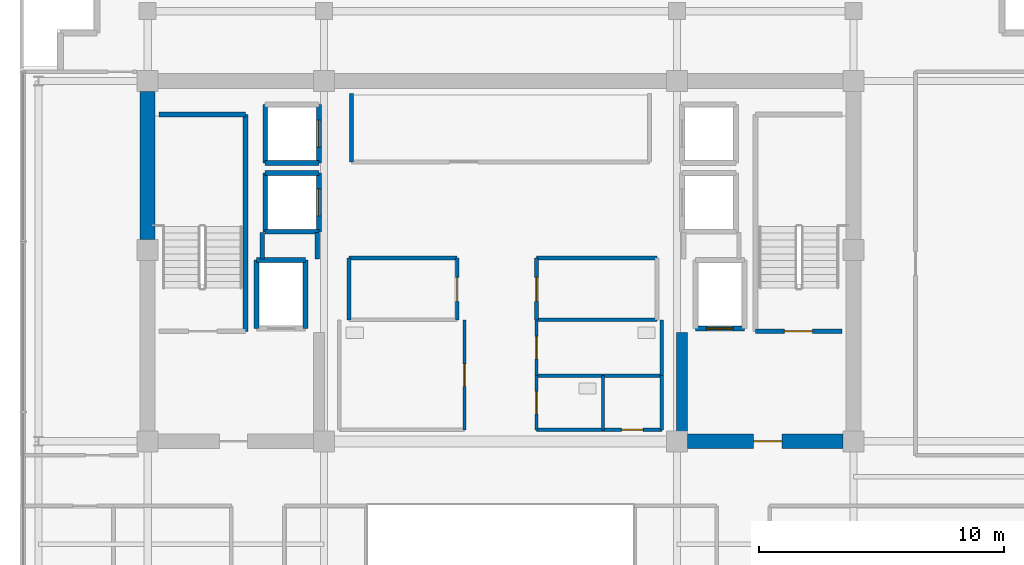
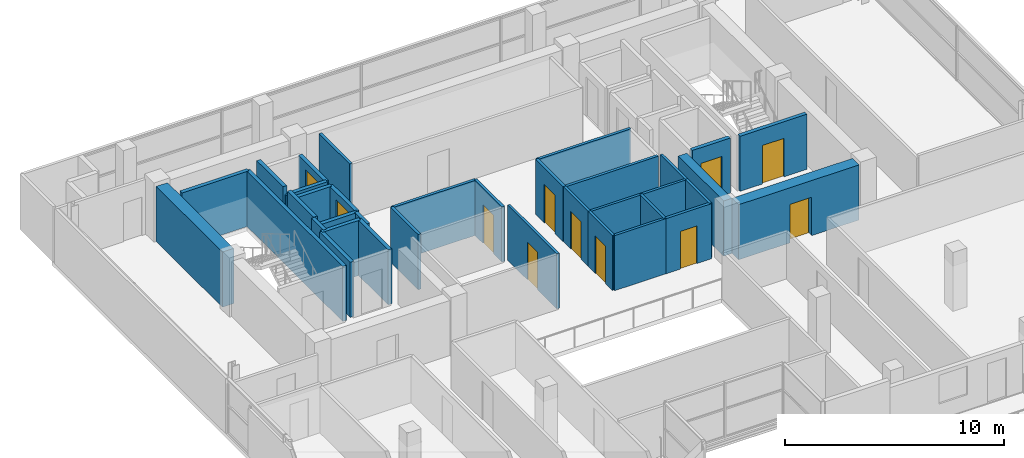
# One storey, part 16 of 22: 35 walls, 11 doors, 11 openings.
"""IFC4 building model written with IfcOpenShell, lengths in metres."""

from ifc_helpers import new_model, si_unit, direction, frame, frame_2d, origin, place, context, subcontext, project, spatial, rectangle, extrude, source, transform, mapped, material, layer, layer_set, type_object, element, fill, save


model = new_model("IFC4")

# Units and contexts
model_context = context("Model", 3, precision=1e-05, world=origin(), true_north=direction((0.0, 1.0)))
body_context = subcontext(model_context, "Body", "Model", "MODEL_VIEW")
ifc_project = project(units=[si_unit("LENGTHUNIT", "METRE"), si_unit("AREAUNIT", "SQUARE_METRE"), si_unit("VOLUMEUNIT", "CUBIC_METRE"), si_unit("PLANEANGLEUNIT", "RADIAN"), si_unit("MASSUNIT", "GRAM", prefix="KILO")], contexts=[model_context])

# Site, building, storey
site_placement = place(None, origin())
site = spatial("IfcSite", under=ifc_project, at=site_placement, CompositionType="ELEMENT")
building_placement = place(site_placement, origin())
building = spatial("IfcBuilding", under=site, at=building_placement, Name="Zarnakvel Exchange Tower", CompositionType="ELEMENT")
storey_placement = place(building_placement, frame((0.0, 0.0, 238.60009765625)))
storey = spatial("IfcBuildingStorey", under=building, at=storey_placement, Name="L67", CompositionType="ELEMENT", Elevation=238.60009765625)

# Wall
ifc_material_1 = material(Name="Concrete C50/60", Category="concrete")
ifc_layer_1 = layer(ifc_material_1, 0.60009765625)
ifc_layer_set_1 = layer_set([ifc_layer_1], Name="Concrete C50/60")
wall_type_1 = type_object("IfcWallType", Name="CW-C5", PredefinedType="SHEAR", material=ifc_layer_set_1)
wall_1_placement = place(storey_placement, frame((-14.39990234375, 7.02490234375, 0.0), z_axis=(0.0, 0.0, 1.0), x_axis=(0.0, 1.0, 0.0)))
element("IfcWall", 1, at=wall_1_placement, inside=storey, type_object=wall_type_1, Name="L67 Rear Core Shear Wall W2 (CW-C5)", PredefinedType="SHEAR", context=body_context, shape_type="SweptSolid", body=[
    extrude(rectangle(XDim=6.050048828125, YDim=0.60009765625, at=frame_2d((3.02490234375, 0.0))), origin(), (0.0, 0.0, 1.0), 3.074951171875),
])

# Wall, opening, door
wall_2_placement = place(storey_placement, frame((13.97509765625, -1.199951171875, 0.0), z_axis=(0.0, 0.0, 1.0), x_axis=(-1.0, 0.0, 0.0)))
wall_2 = element("IfcWall", 2, at=wall_2_placement, inside=storey, type_object=wall_type_1, Name="L67 Rear Core Shear Wall SE (CW-C5)", PredefinedType="SHEAR", context=body_context, shape_type="SweptSolid", body=[
    extrude(rectangle(XDim=6.35009765625, YDim=0.60009765625, at=frame_2d((3.175048828125, 0.0))), origin(), (0.0, 0.0, 1.0), 3.074951171875),
])
opening_1_placement = place(wall_2_placement, frame((2.5, 0.0, 0.0)))
opening_1 = element("IfcOpeningElement", 3, at=opening_1_placement, cuts=wall_2, Name="Opening D-L67-04", PredefinedType="OPENING", context=body_context, shape_type="SweptSolid", body=[
    extrude(rectangle(XDim=1.14990234375, YDim=2.14990234375, at=frame_2d((0.574951171875, 1.074951171875))), frame((0.0, 0.31005859375, 0.0), z_axis=(0.0, -1.0, 0.0), x_axis=(1.0, 0.0, 0.0)), (0.0, 0.0, 1.0), 0.6201171875),
])
ifc_material_2 = material(Name="Painted Galvanised Steel S355", Category="steel")
door_type_1 = type_object("IfcDoorType", Name="DT-04", OperationType="NOTDEFINED", PredefinedType="DOOR", material=ifc_material_2)
shared_shape_1 = source(origin(), body_context, "Body", "SweptSolid", [
    extrude(rectangle(XDim=1.14990234375, YDim=2.14990234375, at=frame_2d((0.574951171875, 1.074951171875))), frame((0.0, 0.02490234375, 0.0), z_axis=(0.0, -1.0, 0.0), x_axis=(1.0, 0.0, 0.0)), (0.0, 0.0, 1.0), 0.050048828125),
])
door_1_placement = place(opening_1_placement, origin())
door_1 = element("IfcDoor", 4, at=door_1_placement, inside=storey, type_object=door_type_1, Name="L67 Firefighting Lobby East Door D-L67-04", OperationType="SINGLE_SWING_RIGHT", OverallHeight=2.14990234375, OverallWidth=1.14990234375, PredefinedType="DOOR", context=body_context, shape_type="MappedRepresentation", body=[
    mapped(shared_shape_1, transform((0.0, 0.0, 0.0), x_axis=(1.0, 0.0, 0.0), y_axis=(0.0, 1.0, 0.0), z_axis=(0.0, 0.0, 1.0), scale=1.0)),
])
fill(opening_1, door_1)

# Walls
ifc_layer_2 = layer(ifc_material_1, 0.449951171875)
ifc_layer_set_2 = layer_set([ifc_layer_2], Name="Concrete C50/60")
wall_type_2 = type_object("IfcWallType", Name="CW-C6", PredefinedType="SHEAR", material=ifc_layer_set_2)
wall_3_placement = place(storey_placement, frame((7.39990234375, -0.89990234375, 0.0), z_axis=(0.0, 0.0, 1.0), x_axis=(0.0, 1.0, 0.0)))
element("IfcWall", 5, at=wall_3_placement, inside=storey, type_object=wall_type_2, Name="L67 Rear Core Shear Wall IE (CW-C6)", PredefinedType="SHEAR", context=body_context, shape_type="SweptSolid", body=[
    extrude(rectangle(XDim=4.14990234375, YDim=0.449951171875, at=frame_2d((2.074951171875, 0.0))), origin(), (0.0, 0.0, 1.0), 3.074951171875),
])
ifc_material_3 = material(Name="Fire-Rated Gypsum Stud Partition", Category="gypsum")
ifc_layer_3 = layer(ifc_material_3, 0.14990234375)
ifc_layer_set_3 = layer_set([ifc_layer_3], Name="Fire-Rated Gypsum Stud Partition")
wall_type_3 = type_object("IfcWallType", Name="PT-01", PredefinedType="PARTITIONING", material=ifc_layer_set_3)
wall_4_placement = place(storey_placement, frame((-6.080078125, 10.199951171875, 0.0), z_axis=(0.0, 0.0, 1.0), x_axis=(0.0, 1.0, 0.0)))
element("IfcWall", 6, at=wall_4_placement, inside=storey, type_object=wall_type_3, Name="L67 Partition Wall PWALL-L67-012 (PT-01)", PredefinedType="PARTITIONING", context=body_context, shape_type="SweptSolid", body=[
    extrude(rectangle(XDim=2.800048828125, YDim=0.14990234375, at=frame_2d((1.39990234375, 0.0))), origin(), (0.0, 0.0, 1.0), 3.074951171875),
])
wall_5_placement = place(storey_placement, frame((-6.179931640625, 6.280029296875, 0.0), z_axis=(0.0, 0.0, 1.0), x_axis=(1.0, 0.0, 0.0)))
element("IfcWall", 7, at=wall_5_placement, inside=storey, type_object=wall_type_3, Name="L67 Partition Wall PWALL-L67-015 (PT-01)", PredefinedType="PARTITIONING", context=body_context, shape_type="SweptSolid", body=[
    extrude(rectangle(XDim=4.409912109375, YDim=0.14990234375, at=frame_2d((2.205078125, 0.0))), origin(), (0.0, 0.0, 1.0), 3.074951171875),
])
wall_6_placement = place(storey_placement, frame((-6.179931640625, 3.760009765625, 0.0), z_axis=(0.0, 0.0, 1.0), x_axis=(0.0, 1.0, 0.0)))
element("IfcWall", 8, at=wall_6_placement, inside=storey, type_object=wall_type_3, Name="L67 Partition Wall PWALL-L67-016 (PT-01)", PredefinedType="PARTITIONING", context=body_context, shape_type="SweptSolid", body=[
    extrude(rectangle(XDim=2.52001953125, YDim=0.14990234375, at=frame_2d((1.260009765625, 0.0))), origin(), (0.0, 0.0, 1.0), 3.074951171875),
])

# Wall, opening, door
wall_7_placement = place(storey_placement, frame((-1.77001953125, 6.280029296875, 0.0), z_axis=(0.0, 0.0, 1.0), x_axis=(0.0, -1.0, 0.0)))
wall_7 = element("IfcWall", 9, at=wall_7_placement, inside=storey, type_object=wall_type_3, Name="L67 Partition Wall PWALL-L67-017 (PT-01)", PredefinedType="PARTITIONING", context=body_context, shape_type="SweptSolid", body=[
    extrude(rectangle(XDim=2.52001953125, YDim=0.14990234375, at=frame_2d((1.260009765625, 0.0))), origin(), (0.0, 0.0, 1.0), 3.074951171875),
])
opening_2_placement = place(wall_7_placement, frame((0.7900390625, 0.0, 0.0)))
opening_2 = element("IfcOpeningElement", 10, at=opening_2_placement, cuts=wall_7, Name="Opening D-L67-06", PredefinedType="OPENING", context=body_context, shape_type="SweptSolid", body=[
    extrude(rectangle(XDim=0.97998046875, YDim=2.14990234375, at=frame_2d((0.489990234375, 1.074951171875))), frame((0.0, 0.0849609375, 0.0), z_axis=(0.0, -1.0, 0.0), x_axis=(1.0, 0.0, 0.0)), (0.0, 0.0, 1.0), 0.169921875),
])
ifc_material_4 = material(Name="Timber Acoustic Veneer", Category="wood")
door_type_2 = type_object("IfcDoorType", Name="DT-05", OperationType="NOTDEFINED", PredefinedType="DOOR", material=ifc_material_4)
shared_shape_2 = source(origin(), body_context, "Body", "SweptSolid", [
    extrude(rectangle(XDim=0.97998046875, YDim=2.14990234375, at=frame_2d((0.489990234375, 1.074951171875))), frame((0.0, 0.02490234375, 0.0), z_axis=(0.0, -1.0, 0.0), x_axis=(1.0, 0.0, 0.0)), (0.0, 0.0, 1.0), 0.050048828125),
])
door_2_placement = place(opening_2_placement, origin())
door_2 = element("IfcDoor", 11, at=door_2_placement, inside=storey, type_object=door_type_2, Name="L67 Sovereign Compliance Office Door D-L67-06", OperationType="SINGLE_SWING_RIGHT", OverallHeight=2.14990234375, OverallWidth=0.97998046875, PredefinedType="DOOR", context=body_context, shape_type="MappedRepresentation", body=[
    mapped(shared_shape_2, transform((0.0, 0.0, 0.0), x_axis=(1.0, 0.0, 0.0), y_axis=(0.0, 1.0, 0.0), z_axis=(0.0, 0.0, 1.0), scale=1.0)),
])
fill(opening_2, door_2)

# Walls
for number, where, z_axis, x_axis, name in (
    (12, (6.3798828125, 3.760009765625, 0.0), (0.0, 0.0, 1.0), (-1.0, 0.0, 0.0), "L67 Partition Wall PWALL-L67-018 (PT-01)"),
    (13, (1.469970703125, 6.280029296875, 0.0), (0.0, 0.0, 1.0), (1.0, 0.0, 0.0), "L67 Partition Wall PWALL-L67-019 (PT-01)"),
):
    element("IfcWall", number, at=place(storey_placement, frame(where, z_axis=z_axis, x_axis=x_axis)), inside=storey, type_object=wall_type_3, Name=name, PredefinedType="PARTITIONING", context=body_context, shape_type="SweptSolid", body=[
        extrude(rectangle(XDim=4.909912109375, YDim=0.14990234375, at=frame_2d((2.455078125, 0.0))), origin(), (0.0, 0.0, 1.0), 3.074951171875),
    ])

# Wall, opening, door
wall_8_placement = place(storey_placement, frame((1.469970703125, 3.760009765625, 0.0), z_axis=(0.0, 0.0, 1.0), x_axis=(0.0, 1.0, 0.0)))
wall_8 = element("IfcWall", 14, at=wall_8_placement, inside=storey, type_object=wall_type_3, Name="L67 Partition Wall PWALL-L67-020 (PT-01)", PredefinedType="PARTITIONING", context=body_context, shape_type="SweptSolid", body=[
    extrude(rectangle(XDim=2.52001953125, YDim=0.14990234375, at=frame_2d((1.260009765625, 0.0))), origin(), (0.0, 0.0, 1.0), 3.074951171875),
])
opening_3_placement = place(wall_8_placement, frame((0.75, 0.0, 0.0)))
opening_3 = element("IfcOpeningElement", 15, at=opening_3_placement, cuts=wall_8, Name="Opening D-L67-07", PredefinedType="OPENING", context=body_context, shape_type="SweptSolid", body=[
    extrude(rectangle(XDim=0.97998046875, YDim=2.14990234375, at=frame_2d((0.489990234375, 1.074951171875))), frame((0.0, 0.0849609375, 0.0), z_axis=(0.0, -1.0, 0.0), x_axis=(1.0, 0.0, 0.0)), (0.0, 0.0, 1.0), 0.169921875),
])
door_3_placement = place(opening_3_placement, origin())
door_3 = element("IfcDoor", 16, at=door_3_placement, inside=storey, type_object=door_type_2, Name="L67 Depository Legal Office Door D-L67-07", OperationType="SINGLE_SWING_LEFT", OverallHeight=2.14990234375, OverallWidth=0.97998046875, PredefinedType="DOOR", context=body_context, shape_type="MappedRepresentation", body=[
    mapped(shared_shape_2, transform((0.0, 0.0, 0.0), x_axis=(1.0, 0.0, 0.0), y_axis=(0.0, 1.0, 0.0), z_axis=(0.0, 0.0, 1.0), scale=1.0)),
])
fill(opening_3, door_3)

wall_9_placement = place(storey_placement, frame((6.580078125, -0.72998046875, 0.0), z_axis=(0.0, 0.0, 1.0), x_axis=(-1.0, 0.0, 0.0)))
wall_9 = element("IfcWall", 17, at=wall_9_placement, inside=storey, type_object=wall_type_3, Name="L67 Partition Wall PWALL-L67-031 (PT-01)", PredefinedType="PARTITIONING", context=body_context, shape_type="SweptSolid", body=[
    extrude(rectangle(XDim=2.400146484375, YDim=0.14990234375, at=frame_2d((1.2001953125, 0.0))), origin(), (0.0, 0.0, 1.0), 3.074951171875),
])
opening_4_placement = place(wall_9_placement, frame((0.760009765625, 0.0, 0.0)))
opening_4 = element("IfcOpeningElement", 18, at=opening_4_placement, cuts=wall_9, Name="Opening D-L67-11", PredefinedType="OPENING", context=body_context, shape_type="SweptSolid", body=[
    extrude(rectangle(XDim=0.8798828125, YDim=2.10009765625, at=frame_2d((0.43994140625, 1.050048828125))), frame((0.0, 0.0849609375, 0.0), z_axis=(0.0, -1.0, 0.0), x_axis=(1.0, 0.0, 0.0)), (0.0, 0.0, 1.0), 0.169921875),
])
door_type_3 = type_object("IfcDoorType", Name="DT-08", OperationType="NOTDEFINED", PredefinedType="DOOR", material=ifc_material_2)
shared_shape_3 = source(origin(), body_context, "Body", "SweptSolid", [
    extrude(rectangle(XDim=0.8798828125, YDim=2.10009765625, at=frame_2d((0.43994140625, 1.050048828125))), frame((0.0, 0.02490234375, 0.0), z_axis=(0.0, -1.0, 0.0), x_axis=(1.0, 0.0, 0.0)), (0.0, 0.0, 1.0), 0.050048828125),
])
door_4_placement = place(opening_4_placement, origin())
door_4 = element("IfcDoor", 19, at=door_4_placement, inside=storey, type_object=door_type_3, Name="L67 Cleaners Store Door D-L67-11", OperationType="SINGLE_SWING_LEFT", OverallHeight=2.10009765625, OverallWidth=0.8798828125, PredefinedType="DOOR", context=body_context, shape_type="MappedRepresentation", body=[
    mapped(shared_shape_3, transform((0.0, 0.0, 0.0), x_axis=(1.0, 0.0, 0.0), y_axis=(0.0, 1.0, 0.0), z_axis=(0.0, 0.0, 1.0), scale=1.0)),
])
fill(opening_4, door_4)

# Walls
wall_10_placement = place(storey_placement, frame((6.580078125, 1.47998046875, 0.0), z_axis=(0.0, 0.0, 1.0), x_axis=(0.0, -1.0, 0.0)))
element("IfcWall", 20, at=wall_10_placement, inside=storey, type_object=wall_type_3, Name="L67 Partition Wall PWALL-L67-032 (PT-01)", PredefinedType="PARTITIONING", context=body_context, shape_type="SweptSolid", body=[
    extrude(rectangle(XDim=2.2099609375, YDim=0.14990234375, at=frame_2d((1.10498046875, 0.0))), origin(), (0.0, 0.0, 1.0), 3.074951171875),
])
ifc_layer_4 = layer(ifc_material_3, 0.179931640625)
ifc_layer_set_4 = layer_set([ifc_layer_4], Name="Fire-Rated Gypsum Stud Partition")
wall_type_4 = type_object("IfcWallType", Name="PT-02", PredefinedType="PARTITIONING", material=ifc_layer_set_4)
wall_11_placement = place(storey_placement, frame((-9.72998046875, 6.239990234375, 0.0), z_axis=(0.0, 0.0, 1.0), x_axis=(0.0, 1.0, 0.0)))
element("IfcWall", 21, at=wall_11_placement, inside=storey, type_object=wall_type_4, Name="L67 Partition Wall PWALL-L67-007 (PT-02)", PredefinedType="PARTITIONING", context=body_context, shape_type="SweptSolid", body=[
    extrude(rectangle(XDim=1.090087890625, YDim=0.179931640625, at=frame_2d((0.544921875, 0.0))), origin(), (0.0, 0.0, 1.0), 3.074951171875),
])
wall_12_placement = place(storey_placement, frame((-7.469970703125, 7.330078125, 0.0), z_axis=(0.0, 0.0, 1.0), x_axis=(0.0, -1.0, 0.0)))
element("IfcWall", 22, at=wall_12_placement, inside=storey, type_object=wall_type_4, Name="L67 Partition Wall PWALL-L67-008 (PT-02)", PredefinedType="PARTITIONING", context=body_context, shape_type="SweptSolid", body=[
    extrude(rectangle(XDim=1.090087890625, YDim=0.179931640625, at=frame_2d((0.544921875, 0.0))), origin(), (0.0, 0.0, 1.0), 2.614990234375),
])

# Wall, opening, door
ifc_material_5 = material(Name="Moisture-Resistant Tile-Faced Partition", Category="gypsum")
ifc_layer_5 = layer(ifc_material_5, 0.135009765625)
ifc_layer_set_5 = layer_set([ifc_layer_5], Name="Moisture-Resistant Tile-Faced Partition")
wall_type_5 = type_object("IfcWallType", Name="PT-03", PredefinedType="PARTITIONING", material=ifc_layer_set_5)
wall_13_placement = place(storey_placement, frame((-1.469970703125, 3.760009765625, 0.0), z_axis=(0.0, 0.0, 1.0), x_axis=(0.0, -1.0, 0.0)))
wall_13 = element("IfcWall", 23, at=wall_13_placement, inside=storey, type_object=wall_type_5, Name="L67 Partition Wall PWALL-L67-024 (PT-03)", PredefinedType="PARTITIONING", context=body_context, shape_type="SweptSolid", body=[
    extrude(rectangle(XDim=4.489990234375, YDim=0.135009765625, at=frame_2d((2.2451171875, 0.0))), origin(), (0.0, 0.0, 1.0), 3.074951171875),
])
opening_5_placement = place(wall_13_placement, frame((1.800048828125, 0.0, 0.0)))
opening_5 = element("IfcOpeningElement", 24, at=opening_5_placement, cuts=wall_13, Name="Opening D-L67-08", PredefinedType="OPENING", context=body_context, shape_type="SweptSolid", body=[
    extrude(rectangle(XDim=0.919921875, YDim=2.10009765625, at=frame_2d((0.4599609375, 1.050048828125))), frame((0.0, 0.077392578125, 0.0), z_axis=(0.0, -1.0, 0.0), x_axis=(1.0, 0.0, 0.0)), (0.0, 0.0, 1.0), 0.155029296875),
])
ifc_material_6 = material(Name="Moisture-Resistant Laminate Timber", Category="wood")
door_type_4 = type_object("IfcDoorType", Name="DT-07", OperationType="NOTDEFINED", PredefinedType="DOOR", material=ifc_material_6)
shared_shape_4 = source(origin(), body_context, "Body", "SweptSolid", [
    extrude(rectangle(XDim=0.919921875, YDim=2.10009765625, at=frame_2d((0.4599609375, 1.050048828125))), frame((0.0, 0.02490234375, 0.0), z_axis=(0.0, -1.0, 0.0), x_axis=(1.0, 0.0, 0.0)), (0.0, 0.0, 1.0), 0.050048828125),
])
door_5_placement = place(opening_5_placement, origin())
door_5 = element("IfcDoor", 25, at=door_5_placement, inside=storey, type_object=door_type_4, Name="L67 Male Toilet Door D-L67-08", OperationType="SINGLE_SWING_RIGHT", OverallHeight=2.10009765625, OverallWidth=0.919921875, PredefinedType="DOOR", context=body_context, shape_type="MappedRepresentation", body=[
    mapped(shared_shape_4, transform((0.0, 0.0, 0.0), x_axis=(1.0, 0.0, 0.0), y_axis=(0.0, 1.0, 0.0), z_axis=(0.0, 0.0, 1.0), scale=1.0)),
])
fill(opening_5, door_5)

# Wall
wall_14_placement = place(storey_placement, frame((6.580078125, 1.47998046875, 0.0), z_axis=(0.0, 0.0, 1.0), x_axis=(-1.0, 0.0, 0.0)))
element("IfcWall", 26, at=wall_14_placement, inside=storey, type_object=wall_type_5, Name="L67 Partition Wall PWALL-L67-025 (PT-03)", PredefinedType="PARTITIONING", context=body_context, shape_type="SweptSolid", body=[
    extrude(rectangle(XDim=5.110107421875, YDim=0.135009765625, at=frame_2d((2.55517578125, 0.0))), origin(), (0.0, 0.0, 1.0), 3.074951171875),
])

# Wall, opening, door
wall_15_placement = place(storey_placement, frame((1.469970703125, 1.47998046875, 0.0), z_axis=(0.0, 0.0, 1.0), x_axis=(0.0, 1.0, 0.0)))
wall_15 = element("IfcWall", 27, at=wall_15_placement, inside=storey, type_object=wall_type_5, Name="L67 Partition Wall PWALL-L67-026 (PT-03)", PredefinedType="PARTITIONING", context=body_context, shape_type="SweptSolid", body=[
    extrude(rectangle(XDim=2.280029296875, YDim=0.135009765625, at=frame_2d((1.14013671875, 0.0))), origin(), (0.0, 0.0, 1.0), 3.074951171875),
])
opening_6_placement = place(wall_15_placement, frame((0.679931640625, 0.0, 0.0)))
opening_6 = element("IfcOpeningElement", 28, at=opening_6_placement, cuts=wall_15, Name="Opening D-L67-09", PredefinedType="OPENING", context=body_context, shape_type="SweptSolid", body=[
    extrude(rectangle(XDim=0.919921875, YDim=2.10009765625, at=frame_2d((0.4599609375, 1.050048828125))), frame((0.0, 0.077392578125, 0.0), z_axis=(0.0, -1.0, 0.0), x_axis=(1.0, 0.0, 0.0)), (0.0, 0.0, 1.0), 0.155029296875),
])
door_6_placement = place(opening_6_placement, origin())
door_6 = element("IfcDoor", 29, at=door_6_placement, inside=storey, type_object=door_type_4, Name="L67 Female Toilet Door D-L67-09", OperationType="SINGLE_SWING_LEFT", OverallHeight=2.10009765625, OverallWidth=0.919921875, PredefinedType="DOOR", context=body_context, shape_type="MappedRepresentation", body=[
    mapped(shared_shape_4, transform((0.0, 0.0, 0.0), x_axis=(1.0, 0.0, 0.0), y_axis=(0.0, 1.0, 0.0), z_axis=(0.0, 0.0, 1.0), scale=1.0)),
])
fill(opening_6, door_6)

# Walls
wall_16_placement = place(storey_placement, frame((6.580078125, 3.760009765625, 0.0), z_axis=(0.0, 0.0, 1.0), x_axis=(0.0, -1.0, 0.0)))
element("IfcWall", 30, at=wall_16_placement, inside=storey, type_object=wall_type_5, Name="L67 Partition Wall PWALL-L67-027 (PT-03)", PredefinedType="PARTITIONING", context=body_context, shape_type="SweptSolid", body=[
    extrude(rectangle(XDim=2.280029296875, YDim=0.135009765625, at=frame_2d((1.14013671875, 0.0))), origin(), (0.0, 0.0, 1.0), 3.074951171875),
])
wall_17_placement = place(storey_placement, frame((4.179931640625, -0.72998046875, 0.0), z_axis=(0.0, 0.0, 1.0), x_axis=(-1.0, 0.0, 0.0)))
element("IfcWall", 31, at=wall_17_placement, inside=storey, type_object=wall_type_5, Name="L67 Partition Wall PWALL-L67-028 (PT-03)", PredefinedType="PARTITIONING", context=body_context, shape_type="SweptSolid", body=[
    extrude(rectangle(XDim=2.7099609375, YDim=0.135009765625, at=frame_2d((1.35498046875, 0.0))), origin(), (0.0, 0.0, 1.0), 3.074951171875),
])

# Wall, opening, door
wall_18_placement = place(storey_placement, frame((1.469970703125, -0.72998046875, 0.0), z_axis=(0.0, 0.0, 1.0), x_axis=(0.0, 1.0, 0.0)))
wall_18 = element("IfcWall", 32, at=wall_18_placement, inside=storey, type_object=wall_type_5, Name="L67 Partition Wall PWALL-L67-029 (PT-03)", PredefinedType="PARTITIONING", context=body_context, shape_type="SweptSolid", body=[
    extrude(rectangle(XDim=2.2099609375, YDim=0.135009765625, at=frame_2d((1.10498046875, 0.0))), origin(), (0.0, 0.0, 1.0), 3.074951171875),
])
opening_7_placement = place(wall_18_placement, frame((0.64990234375, 0.0, 0.0)))
opening_7 = element("IfcOpeningElement", 33, at=opening_7_placement, cuts=wall_18, Name="Opening D-L67-10", PredefinedType="OPENING", context=body_context, shape_type="SweptSolid", body=[
    extrude(rectangle(XDim=0.919921875, YDim=2.10009765625, at=frame_2d((0.4599609375, 1.050048828125))), frame((0.0, 0.077392578125, 0.0), z_axis=(0.0, -1.0, 0.0), x_axis=(1.0, 0.0, 0.0)), (0.0, 0.0, 1.0), 0.155029296875),
])
door_7_placement = place(opening_7_placement, origin())
door_7 = element("IfcDoor", 34, at=door_7_placement, inside=storey, type_object=door_type_4, Name="L67 Accessible Toilet Door D-L67-10", OperationType="SINGLE_SWING_RIGHT", OverallHeight=2.10009765625, OverallWidth=0.919921875, PredefinedType="DOOR", context=body_context, shape_type="MappedRepresentation", body=[
    mapped(shared_shape_4, transform((0.0, 0.0, 0.0), x_axis=(1.0, 0.0, 0.0), y_axis=(0.0, 1.0, 0.0), z_axis=(0.0, 0.0, 1.0), scale=1.0)),
])
fill(opening_7, door_7)

# Walls
wall_19_placement = place(storey_placement, frame((4.179931640625, 1.47998046875, 0.0), z_axis=(0.0, 0.0, 1.0), x_axis=(0.0, -1.0, 0.0)))
element("IfcWall", 35, at=wall_19_placement, inside=storey, type_object=wall_type_5, Name="L67 Partition Wall PWALL-L67-030 (PT-03)", PredefinedType="PARTITIONING", context=body_context, shape_type="SweptSolid", body=[
    extrude(rectangle(XDim=2.2099609375, YDim=0.135009765625, at=frame_2d((1.10498046875, 0.0))), origin(), (0.0, 0.0, 1.0), 3.074951171875),
])
ifc_material_7 = material(Name="Concrete C40/50", Category="concrete")
ifc_layer_6 = layer(ifc_material_7, 0.199951171875)
ifc_layer_set_6 = layer_set([ifc_layer_6], Name="Concrete C40/50")
wall_type_6 = type_object("IfcWallType", Name="SW-01", PredefinedType="SOLIDWALL", material=ifc_layer_set_6)
wall_20_placement = place(storey_placement, frame((-9.949951171875, 6.199951171875, 0.0), z_axis=(0.0, 0.0, 1.0), x_axis=(1.0, 0.0, 0.0)))
element("IfcWall", 36, at=wall_20_placement, inside=storey, type_object=wall_type_6, Name="L67 FL-01 Hoistway Wall North", PredefinedType="SOLIDWALL", context=body_context, shape_type="SweptSolid", body=[
    extrude(rectangle(XDim=2.0, YDim=0.199951171875, at=frame_2d((1.0, 0.0))), origin(), (0.0, 0.0, 1.0), 3.074951171875),
])
for number, where, z_axis, x_axis, name in (
    (37, (-9.949951171875, 3.39990234375, 0.0), (0.0, 0.0, 1.0), (0.0, 1.0, 0.0), "L67 FL-01 Hoistway Wall West"),
    (38, (-7.949951171875, 6.199951171875, 0.0), (0.0, 0.0, 1.0), (0.0, -1.0, 0.0), "L67 FL-01 Hoistway Wall East"),
):
    element("IfcWall", number, at=place(storey_placement, frame(where, z_axis=z_axis, x_axis=x_axis)), inside=storey, type_object=wall_type_6, Name=name, PredefinedType="SOLIDWALL", context=body_context, shape_type="SweptSolid", body=[
        extrude(rectangle(XDim=2.800048828125, YDim=0.199951171875, at=frame_2d((1.39990234375, 0.0))), origin(), (0.0, 0.0, 1.0), 3.074951171875),
    ])

# Wall, opening, door
wall_21_placement = place(storey_placement, frame((9.949951171875, 3.39990234375, 0.0), z_axis=(0.0, 0.0, 1.0), x_axis=(-1.0, 0.0, 0.0)))
wall_21 = element("IfcWall", 39, at=wall_21_placement, inside=storey, type_object=wall_type_6, Name="L67 FL-02 Hoistway Wall South", PredefinedType="SOLIDWALL", context=body_context, shape_type="SweptSolid", body=[
    extrude(rectangle(XDim=2.0, YDim=0.199951171875, at=frame_2d((1.0, 0.0))), origin(), (0.0, 0.0, 1.0), 3.074951171875),
])
opening_8_placement = place(wall_21_placement, frame((0.449951171875, 0.0, 0.0)))
opening_8 = element("IfcOpeningElement", 40, at=opening_8_placement, cuts=wall_21, Name="Opening LD-FL-02-L67", PredefinedType="OPENING", context=body_context, shape_type="SweptSolid", body=[
    extrude(rectangle(XDim=1.10009765625, YDim=2.199951171875, at=frame_2d((0.550048828125, 1.10009765625))), frame((0.0, 0.10986328125, 0.0), z_axis=(0.0, -1.0, 0.0), x_axis=(1.0, 0.0, 0.0)), (0.0, 0.0, 1.0), 0.219970703125),
])
ifc_material_8 = material(Name="Brushed Stainless Steel", Category="steel")
door_type_5 = type_object("IfcDoorType", Name="LDT-01", OperationType="NOTDEFINED", PredefinedType="DOOR", material=ifc_material_8)
shared_shape_5 = source(origin(), body_context, "Body", "SweptSolid", [
    extrude(rectangle(XDim=1.10009765625, YDim=2.199951171875, at=frame_2d((0.550048828125, 1.10009765625))), frame((0.0, 0.02490234375, 0.0), z_axis=(0.0, -1.0, 0.0), x_axis=(1.0, 0.0, 0.0)), (0.0, 0.0, 1.0), 0.050048828125),
])
door_8_placement = place(opening_8_placement, origin())
door_8 = element("IfcDoor", 41, at=door_8_placement, inside=storey, type_object=door_type_5, Name="L67 FL-02 Lift Landing Door LD-FL-02-L67", OperationType="DOUBLE_DOOR_SLIDING", OverallHeight=2.199951171875, OverallWidth=1.10009765625, PredefinedType="DOOR", context=body_context, shape_type="MappedRepresentation", body=[
    mapped(shared_shape_5, transform((0.0, 0.0, 0.0), x_axis=(1.0, 0.0, 0.0), y_axis=(0.0, 1.0, 0.0), z_axis=(0.0, 0.0, 1.0), scale=1.0)),
])
fill(opening_8, door_8)

# Walls
for number, where, z_axis, x_axis, name in (
    (42, (-7.39990234375, 7.35009765625, 0.0), (0.0, 0.0, 1.0), (-1.0, 0.0, 0.0), "L67 PL-09 Hoistway Wall South"),
    (43, (-9.60009765625, 9.75, 0.0), (0.0, 0.0, 1.0), (1.0, 0.0, 0.0), "L67 PL-09 Hoistway Wall North"),
):
    element("IfcWall", number, at=place(storey_placement, frame(where, z_axis=z_axis, x_axis=x_axis)), inside=storey, type_object=wall_type_6, Name=name, PredefinedType="SOLIDWALL", context=body_context, shape_type="SweptSolid", body=[
        extrude(rectangle(XDim=2.2001953125, YDim=0.199951171875, at=frame_2d((1.10009765625, 0.0))), origin(), (0.0, 0.0, 1.0), 2.614990234375),
    ])
wall_22_placement = place(storey_placement, frame((-9.60009765625, 7.35009765625, 0.0), z_axis=(0.0, 0.0, 1.0), x_axis=(0.0, 1.0, 0.0)))
element("IfcWall", 44, at=wall_22_placement, inside=storey, type_object=wall_type_6, Name="L67 PL-09 Hoistway Wall West", PredefinedType="SOLIDWALL", context=body_context, shape_type="SweptSolid", body=[
    extrude(rectangle(XDim=2.39990234375, YDim=0.199951171875, at=frame_2d((1.199951171875, 0.0))), origin(), (0.0, 0.0, 1.0), 3.074951171875),
])

# Wall, opening, door
wall_23_placement = place(storey_placement, frame((-7.39990234375, 9.75, 0.0), z_axis=(0.0, 0.0, 1.0), x_axis=(0.0, -1.0, 0.0)))
wall_23 = element("IfcWall", 45, at=wall_23_placement, inside=storey, type_object=wall_type_6, Name="L67 PL-09 Hoistway Wall East", PredefinedType="SOLIDWALL", context=body_context, shape_type="SweptSolid", body=[
    extrude(rectangle(XDim=2.39990234375, YDim=0.199951171875, at=frame_2d((1.199951171875, 0.0))), origin(), (0.0, 0.0, 1.0), 2.614990234375),
])
opening_9_placement = place(wall_23_placement, frame((0.64990234375, 0.0, 0.0)))
opening_9 = element("IfcOpeningElement", 46, at=opening_9_placement, cuts=wall_23, Name="Opening LD-PL-09-L67", PredefinedType="OPENING", context=body_context, shape_type="SweptSolid", body=[
    extrude(rectangle(XDim=1.10009765625, YDim=2.199951171875, at=frame_2d((0.550048828125, 1.10009765625))), frame((0.0, 0.10986328125, 0.0), z_axis=(0.0, -1.0, 0.0), x_axis=(1.0, 0.0, 0.0)), (0.0, 0.0, 1.0), 0.219970703125),
])
ifc_material_9 = material(Name="Architectural Bronze Anodised Aluminium", Category="aluminium")
door_type_6 = type_object("IfcDoorType", Name="LDT-02", OperationType="NOTDEFINED", PredefinedType="DOOR", material=ifc_material_9)
door_9_placement = place(opening_9_placement, origin())
door_9 = element("IfcDoor", 47, at=door_9_placement, inside=storey, type_object=door_type_6, Name="L67 PL-09 Lift Landing Door LD-PL-09-L67", OperationType="DOUBLE_DOOR_SLIDING", OverallHeight=2.199951171875, OverallWidth=1.10009765625, PredefinedType="DOOR", context=body_context, shape_type="MappedRepresentation", body=[
    mapped(shared_shape_5, transform((0.0, 0.0, 0.0), x_axis=(1.0, 0.0, 0.0), y_axis=(0.0, 1.0, 0.0), z_axis=(0.0, 0.0, 1.0), scale=1.0)),
])
fill(opening_9, door_9)

# Walls
wall_24_placement = place(storey_placement, frame((-7.39990234375, 10.14990234375, 0.0), z_axis=(0.0, 0.0, 1.0), x_axis=(-1.0, 0.0, 0.0)))
element("IfcWall", 48, at=wall_24_placement, inside=storey, type_object=wall_type_6, Name="L67 PL-10 Hoistway Wall South", PredefinedType="SOLIDWALL", context=body_context, shape_type="SweptSolid", body=[
    extrude(rectangle(XDim=2.2001953125, YDim=0.199951171875, at=frame_2d((1.10009765625, 0.0))), origin(), (0.0, 0.0, 1.0), 2.614990234375),
])
wall_25_placement = place(storey_placement, frame((-9.60009765625, 10.14990234375, 0.0), z_axis=(0.0, 0.0, 1.0), x_axis=(0.0, 1.0, 0.0)))
element("IfcWall", 49, at=wall_25_placement, inside=storey, type_object=wall_type_6, Name="L67 PL-10 Hoistway Wall West", PredefinedType="SOLIDWALL", context=body_context, shape_type="SweptSolid", body=[
    extrude(rectangle(XDim=2.400146484375, YDim=0.199951171875, at=frame_2d((1.2001953125, 0.0))), origin(), (0.0, 0.0, 1.0), 3.074951171875),
])

# Wall, opening, door
wall_26_placement = place(storey_placement, frame((-7.39990234375, 12.550048828125, 0.0), z_axis=(0.0, 0.0, 1.0), x_axis=(0.0, -1.0, 0.0)))
wall_26 = element("IfcWall", 50, at=wall_26_placement, inside=storey, type_object=wall_type_6, Name="L67 PL-10 Hoistway Wall East", PredefinedType="SOLIDWALL", context=body_context, shape_type="SweptSolid", body=[
    extrude(rectangle(XDim=2.400146484375, YDim=0.199951171875, at=frame_2d((1.2001953125, 0.0))), origin(), (0.0, 0.0, 1.0), 2.614990234375),
])
opening_10_placement = place(wall_26_placement, frame((0.64990234375, 0.0, 0.0)))
opening_10 = element("IfcOpeningElement", 51, at=opening_10_placement, cuts=wall_26, Name="Opening LD-PL-10-L67", PredefinedType="OPENING", context=body_context, shape_type="SweptSolid", body=[
    extrude(rectangle(XDim=1.10009765625, YDim=2.199951171875, at=frame_2d((0.550048828125, 1.10009765625))), frame((0.0, 0.10986328125, 0.0), z_axis=(0.0, -1.0, 0.0), x_axis=(1.0, 0.0, 0.0)), (0.0, 0.0, 1.0), 0.219970703125),
])
door_10_placement = place(opening_10_placement, origin())
door_10 = element("IfcDoor", 52, at=door_10_placement, inside=storey, type_object=door_type_6, Name="L67 PL-10 Lift Landing Door LD-PL-10-L67", OperationType="DOUBLE_DOOR_SLIDING", OverallHeight=2.199951171875, OverallWidth=1.10009765625, PredefinedType="DOOR", context=body_context, shape_type="MappedRepresentation", body=[
    mapped(shared_shape_5, transform((0.0, 0.0, 0.0), x_axis=(1.0, 0.0, 0.0), y_axis=(0.0, 1.0, 0.0), z_axis=(0.0, 0.0, 1.0), scale=1.0)),
])
fill(opening_10, door_10)

# Walls
ifc_layer_7 = layer(ifc_material_7, 0.199951171875)
ifc_layer_set_7 = layer_set([ifc_layer_7], Name="Concrete C40/50")
wall_type_7 = type_object("IfcWallType", Name="SW-02", PredefinedType="SOLIDWALL", material=ifc_layer_set_7)
wall_27_placement = place(storey_placement, frame((-13.929931640625, 12.1298828125, 0.0), z_axis=(0.0, 0.0, 1.0), x_axis=(1.0, 0.0, 0.0)))
element("IfcWall", 53, at=wall_27_placement, inside=storey, type_object=wall_type_7, Name="L67 Stairwell Core Wall PWALL-L67-002 (SW-02)", PredefinedType="SOLIDWALL", context=body_context, shape_type="SweptSolid", body=[
    extrude(rectangle(XDim=3.52001953125, YDim=0.199951171875, at=frame_2d((1.760009765625, 0.0))), origin(), (0.0, 0.0, 1.0), 3.074951171875),
])
wall_28_placement = place(storey_placement, frame((-10.409912109375, 12.1298828125, 0.0), z_axis=(0.0, 0.0, 1.0), x_axis=(0.0, -1.0, 0.0)))
element("IfcWall", 54, at=wall_28_placement, inside=storey, type_object=wall_type_7, Name="L67 Stairwell Core Wall PWALL-L67-003 (SW-02)", PredefinedType="SOLIDWALL", context=body_context, shape_type="SweptSolid", body=[
    extrude(rectangle(XDim=8.83984375, YDim=0.199951171875, at=frame_2d((4.419921875, 0.0))), origin(), (0.0, 0.0, 1.0), 3.074951171875),
])

# Wall, opening, door
wall_29_placement = place(storey_placement, frame((13.929931640625, 3.2900390625, 0.0), z_axis=(0.0, 0.0, 1.0), x_axis=(-1.0, 0.0, 0.0)))
wall_29 = element("IfcWall", 55, at=wall_29_placement, inside=storey, type_object=wall_type_7, Name="L67 Stairwell Core Wall PWALL-L67-004 (SW-02)", PredefinedType="SOLIDWALL", context=body_context, shape_type="SweptSolid", body=[
    extrude(rectangle(XDim=3.52001953125, YDim=0.199951171875, at=frame_2d((1.760009765625, 0.0))), origin(), (0.0, 0.0, 1.0), 3.074951171875),
])
opening_11_placement = place(wall_29_placement, frame((1.205078125, 0.0, 0.0)))
opening_11 = element("IfcOpeningElement", 56, at=opening_11_placement, cuts=wall_29, Name="Opening D-L67-02", PredefinedType="OPENING", context=body_context, shape_type="SweptSolid", body=[
    extrude(rectangle(XDim=1.14990234375, YDim=2.14990234375, at=frame_2d((0.574951171875, 1.074951171875))), frame((0.0, 0.10986328125, 0.0), z_axis=(0.0, -1.0, 0.0), x_axis=(1.0, 0.0, 0.0)), (0.0, 0.0, 1.0), 0.219970703125),
])
door_11_placement = place(opening_11_placement, origin())
door_11 = element("IfcDoor", 57, at=door_11_placement, inside=storey, type_object=door_type_1, Name="L67 Stairwell ST-02 Door D-L67-02", OperationType="SINGLE_SWING_RIGHT", OverallHeight=2.14990234375, OverallWidth=1.14990234375, PredefinedType="DOOR", context=body_context, shape_type="MappedRepresentation", body=[
    mapped(shared_shape_1, transform((0.0, 0.0, 0.0), x_axis=(1.0, 0.0, 0.0), y_axis=(0.0, 1.0, 0.0), z_axis=(0.0, 0.0, 1.0), scale=1.0)),
])
fill(opening_11, door_11)

save(model, "model.ifc")
